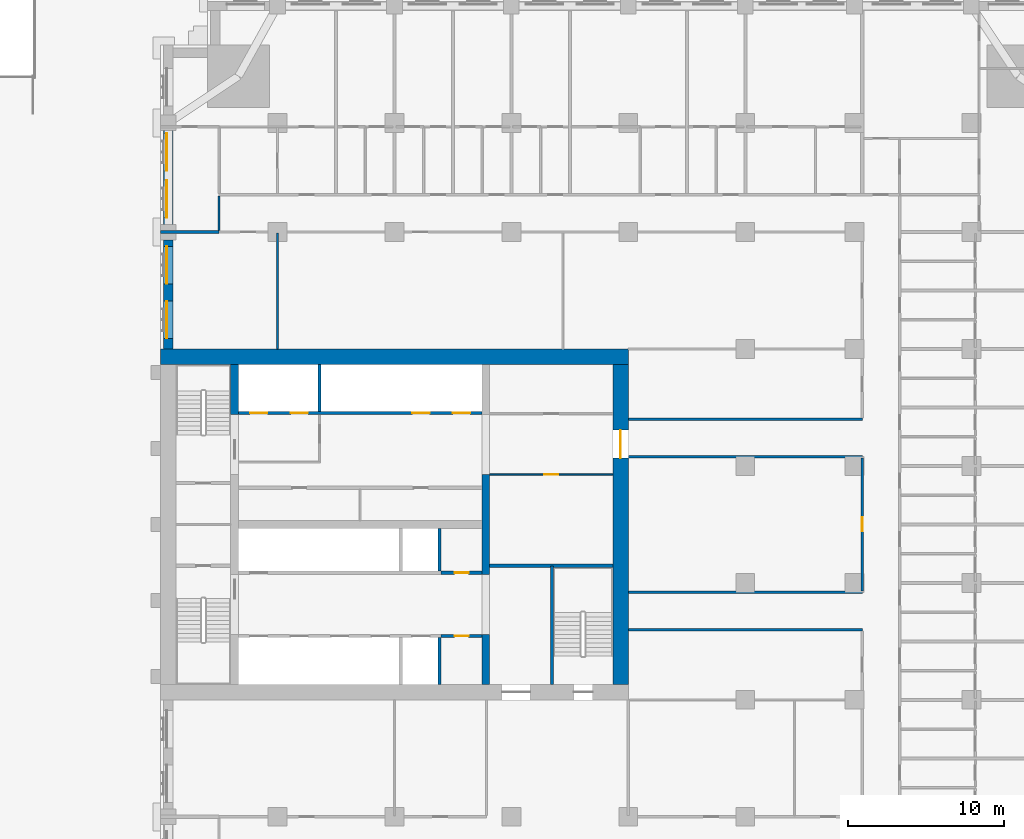
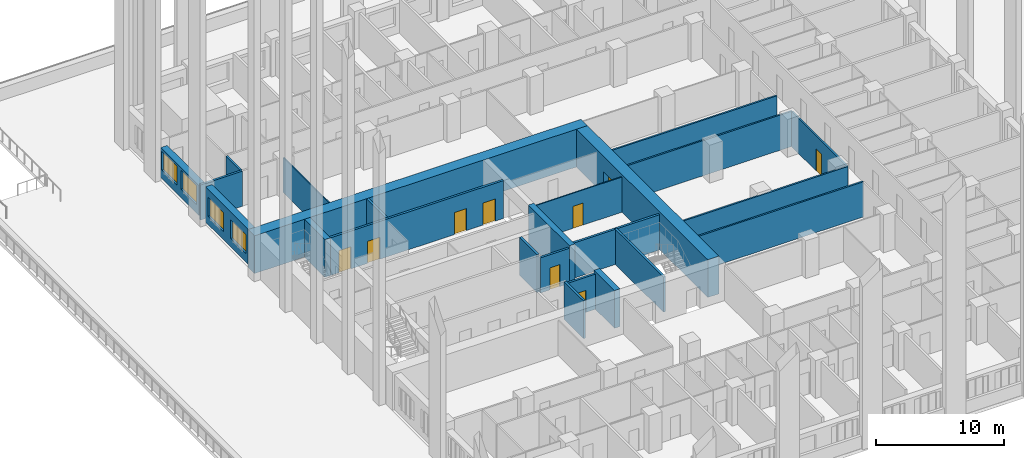
# One storey, part 14 of 27: 24 walls, 9 doors, 4 windows, 13 openings.
"""IFC4 building model written with IfcOpenShell, lengths in metres."""

from ifc_helpers import new_model, si_unit, direction, frame, frame_2d, origin, place, context, subcontext, project, spatial, rectangle, extrude, material, layer, layer_set, type_object, element, fill, save


model = new_model("IFC4")

# Units and contexts
model_context = context("Model", 3, precision=1e-05, world=origin(), true_north=direction((0.0, 1.0)))
body_context = subcontext(model_context, "Body", "Model", "MODEL_VIEW")
ifc_project = project(units=[si_unit("LENGTHUNIT", "METRE"), si_unit("AREAUNIT", "SQUARE_METRE"), si_unit("VOLUMEUNIT", "CUBIC_METRE"), si_unit("PLANEANGLEUNIT", "RADIAN"), si_unit("MASSUNIT", "GRAM", prefix="KILO")], contexts=[model_context])

# Site, building, storey
site_placement = place(None, origin())
site = spatial("IfcSite", under=ifc_project, at=site_placement, CompositionType="ELEMENT")
building_placement = place(site_placement, origin())
building = spatial("IfcBuilding", under=site, at=building_placement, Name="Tamorin Gate", CompositionType="ELEMENT")
storey_placement = place(building_placement, frame((0.0, 0.0, 34.0)))
storey = spatial("IfcBuildingStorey", under=building, at=storey_placement, Name="L06", CompositionType="ELEMENT", Elevation=34.0)

# Wall, openings, windows
ifc_material_1 = material(Name="Precast concrete C40/50", Category="concrete")
ifc_layer_1 = layer(ifc_material_1, 0.60009765625)
ifc_layer_set_1 = layer_set([ifc_layer_1], Name="Precast concrete C40/50")
wall_type_1 = type_object("IfcWallType", Name="Board-marked concrete facade panel 600", PredefinedType="SOLIDWALL", material=ifc_layer_set_1)
wall_1_placement = place(storey_placement, frame((30.5, 96.5, 0.0), z_axis=(0.0, 0.0, 1.0), x_axis=(0.0, -1.0, 0.0)))
wall_1 = element("IfcWall", 1, at=wall_1_placement, inside=storey, type_object=wall_type_1, Name="Facade panel", PredefinedType="SOLIDWALL", context=body_context, shape_type="SweptSolid", body=[
    extrude(rectangle(XDim=6.0, YDim=0.60009765625, at=frame_2d((3.0, 0.0))), origin(), (0.0, 0.0, 1.0), 2.85009765625),
])
opening_1_placement = place(wall_1_placement, frame((3.175048828125, 0.0, 0.800048828125)))
opening_1 = element("IfcOpeningElement", 2, at=opening_1_placement, cuts=wall_1, Name="Opening WN1", PredefinedType="OPENING", context=body_context, shape_type="SweptSolid", body=[
    extrude(rectangle(XDim=2.39990234375, YDim=1.800048828125, at=frame_2d((1.199951171875, 0.89990234375))), frame((0.0, 0.31005859375, 0.0), z_axis=(0.0, -1.0, 0.0), x_axis=(1.0, 0.0, 0.0)), (0.0, 0.0, 1.0), 0.6201171875),
])
opening_2_placement = place(wall_1_placement, frame((0.175048828125, 0.0, 0.800048828125)))
opening_2 = element("IfcOpeningElement", 3, at=opening_2_placement, cuts=wall_1, Name="Opening WN1", PredefinedType="OPENING", context=body_context, shape_type="SweptSolid", body=[
    extrude(rectangle(XDim=2.39990234375, YDim=1.800048828125, at=frame_2d((1.199951171875, 0.89990234375))), frame((0.0, 0.31005859375, 0.0), z_axis=(0.0, -1.0, 0.0), x_axis=(1.0, 0.0, 0.0)), (0.0, 0.0, 1.0), 0.6201171875),
])
ifc_material_2 = material(Name="Clear glass in aluminium frame", Category="aluminium")
window_type = type_object("IfcWindowType", Name="Deep-set window 2400x1800", PartitioningType="SINGLE_PANEL", PredefinedType="WINDOW", material=ifc_material_2)
window_1_placement = place(opening_1_placement, origin())
window_1 = element("IfcWindow", 4, at=window_1_placement, inside=storey, type_object=window_type, Name="Deep-set window", OverallHeight=1.800048828125, OverallWidth=2.39990234375, PartitioningType="SINGLE_PANEL", PredefinedType="WINDOW", context=body_context, shape_type="SweptSolid", body=[
    extrude(rectangle(XDim=2.39990234375, YDim=1.800048828125, at=frame_2d((1.199951171875, 0.89990234375))), frame((0.0, -0.070068359375, 0.0), z_axis=(0.0, -1.0, 0.0), x_axis=(1.0, 0.0, 0.0)), (0.0, 0.0, 1.0), 0.06005859375),
])
fill(opening_1, window_1)
window_2_placement = place(opening_2_placement, origin())
window_2 = element("IfcWindow", 5, at=window_2_placement, inside=storey, type_object=window_type, Name="Deep-set window", OverallHeight=1.800048828125, OverallWidth=2.39990234375, PartitioningType="SINGLE_PANEL", PredefinedType="WINDOW", context=body_context, shape_type="SweptSolid", body=[
    extrude(rectangle(XDim=2.39990234375, YDim=1.800048828125, at=frame_2d((1.199951171875, 0.89990234375))), frame((0.0, -0.070068359375, 0.0), z_axis=(0.0, -1.0, 0.0), x_axis=(1.0, 0.0, 0.0)), (0.0, 0.0, 1.0), 0.06005859375),
])
fill(opening_2, window_2)

wall_2_placement = place(storey_placement, frame((30.5, 89.5, 0.0), z_axis=(0.0, 0.0, 1.0), x_axis=(0.0, -1.0, 0.0)))
wall_2 = element("IfcWall", 6, at=wall_2_placement, inside=storey, type_object=wall_type_1, Name="Facade panel", PredefinedType="SOLIDWALL", context=body_context, shape_type="SweptSolid", body=[
    extrude(rectangle(XDim=7.0, YDim=0.60009765625, at=frame_2d((3.5, 0.0))), origin(), (0.0, 0.0, 1.0), 3.35009765625),
])
opening_3_placement = place(wall_2_placement, frame((3.925048828125, 0.0, 0.800048828125)))
opening_3 = element("IfcOpeningElement", 7, at=opening_3_placement, cuts=wall_2, Name="Opening WN1", PredefinedType="OPENING", context=body_context, shape_type="SweptSolid", body=[
    extrude(rectangle(XDim=2.39990234375, YDim=1.800048828125, at=frame_2d((1.199951171875, 0.89990234375))), frame((0.0, 0.31005859375, 0.0), z_axis=(0.0, -1.0, 0.0), x_axis=(1.0, 0.0, 0.0)), (0.0, 0.0, 1.0), 0.6201171875),
])
opening_4_placement = place(wall_2_placement, frame((0.425048828125, 0.0, 0.800048828125)))
opening_4 = element("IfcOpeningElement", 8, at=opening_4_placement, cuts=wall_2, Name="Opening WN1", PredefinedType="OPENING", context=body_context, shape_type="SweptSolid", body=[
    extrude(rectangle(XDim=2.39990234375, YDim=1.800048828125, at=frame_2d((1.199951171875, 0.89990234375))), frame((0.0, 0.31005859375, 0.0), z_axis=(0.0, -1.0, 0.0), x_axis=(1.0, 0.0, 0.0)), (0.0, 0.0, 1.0), 0.6201171875),
])
window_3_placement = place(opening_3_placement, origin())
window_3 = element("IfcWindow", 9, at=window_3_placement, inside=storey, type_object=window_type, Name="Deep-set window", OverallHeight=1.800048828125, OverallWidth=2.39990234375, PartitioningType="SINGLE_PANEL", PredefinedType="WINDOW", context=body_context, shape_type="SweptSolid", body=[
    extrude(rectangle(XDim=2.39990234375, YDim=1.800048828125, at=frame_2d((1.199951171875, 0.89990234375))), frame((0.0, -0.070068359375, 0.0), z_axis=(0.0, -1.0, 0.0), x_axis=(1.0, 0.0, 0.0)), (0.0, 0.0, 1.0), 0.06005859375),
])
fill(opening_3, window_3)
window_4_placement = place(opening_4_placement, origin())
window_4 = element("IfcWindow", 10, at=window_4_placement, inside=storey, type_object=window_type, Name="Deep-set window", OverallHeight=1.800048828125, OverallWidth=2.39990234375, PartitioningType="SINGLE_PANEL", PredefinedType="WINDOW", context=body_context, shape_type="SweptSolid", body=[
    extrude(rectangle(XDim=2.39990234375, YDim=1.800048828125, at=frame_2d((1.199951171875, 0.89990234375))), frame((0.0, -0.070068359375, 0.0), z_axis=(0.0, -1.0, 0.0), x_axis=(1.0, 0.0, 0.0)), (0.0, 0.0, 1.0), 0.06005859375),
])
fill(opening_4, window_4)

# Wall
ifc_material_3 = material(Name="Gypsum board partition")
ifc_layer_2 = layer(ifc_material_3, 0.14990234375)
ifc_layer_set_2 = layer_set([ifc_layer_2], Name="Corridor wall 150")
wall_type_2 = type_object("IfcWallType", Name="Corridor wall 150", PredefinedType="PARTITIONING", material=ifc_layer_set_2)
wall_3_placement = place(storey_placement, frame((33.75, 90.10009765625, 0.0), z_axis=(0.0, 0.0, 1.0), x_axis=(0.0, 1.0, 0.0)))
element("IfcWall", 11, at=wall_3_placement, inside=storey, type_object=wall_type_2, Name="Corridor wall 150", PredefinedType="PARTITIONING", context=body_context, shape_type="SweptSolid", body=[
    extrude(rectangle(XDim=2.224853515625, YDim=0.14990234375, at=frame_2d((1.1123046875, 0.0))), origin(), (0.0, 0.0, 1.0), 3.35009765625),
])

# Wall, opening, door
wall_4_placement = place(storey_placement, frame((75.0, 66.97509765625, 0.0), z_axis=(0.0, 0.0, 1.0), x_axis=(0.0, 1.0, 0.0)))
wall_4 = element("IfcWall", 12, at=wall_4_placement, inside=storey, type_object=wall_type_2, Name="Corridor wall 150", PredefinedType="PARTITIONING", context=body_context, shape_type="SweptSolid", body=[
    extrude(rectangle(XDim=8.5498046875, YDim=0.14990234375, at=frame_2d((4.27490234375, 0.0))), origin(), (0.0, 0.0, 1.0), 3.35009765625),
])
opening_5_placement = place(wall_4_placement, frame((3.824951171875, 0.0, 0.0)))
opening_5 = element("IfcOpeningElement", 13, at=opening_5_placement, cuts=wall_4, Name="Opening DH1101", PredefinedType="OPENING", context=body_context, shape_type="SweptSolid", body=[
    extrude(rectangle(XDim=0.89990234375, YDim=2.10009765625, at=frame_2d((0.449951171875, 1.050048828125))), frame((0.0, 0.0849609375, 0.0), z_axis=(0.0, -1.0, 0.0), x_axis=(1.0, 0.0, 0.0)), (0.0, 0.0, 1.0), 0.169921875),
])
ifc_material_4 = material(Name="Timber door leaf", Category="wood")
door_type_1 = type_object("IfcDoorType", Name="Door 900 x 2100 FD30S", OperationType="NOTDEFINED", PredefinedType="DOOR", material=ifc_material_4)
door_1_placement = place(opening_5_placement, origin())
door_1 = element("IfcDoor", 14, at=door_1_placement, inside=storey, type_object=door_type_1, Name="Door DH1101", OperationType="SINGLE_SWING_LEFT", OverallHeight=2.10009765625, OverallWidth=0.89990234375, PredefinedType="DOOR", context=body_context, shape_type="SweptSolid", body=[
    extrude(rectangle(XDim=0.89990234375, YDim=2.10009765625, at=frame_2d((0.449951171875, 1.050048828125))), frame((0.0, 0.02490234375, 0.0), z_axis=(0.0, -1.0, 0.0), x_axis=(1.0, 0.0, 0.0)), (0.0, 0.0, 1.0), 0.050048828125),
])
fill(opening_5, door_1)

# Wall
ifc_layer_3 = layer(ifc_material_3, 0.199951171875)
ifc_layer_set_3 = layer_set([ifc_layer_3], Name="Demising wall 200")
wall_type_3 = type_object("IfcWallType", Name="Demising wall 200", PredefinedType="PARTITIONING", material=ifc_layer_set_3)
wall_5_placement = place(storey_placement, frame((30.0, 90.0, 0.0), z_axis=(0.0, 0.0, 1.0), x_axis=(1.0, 0.0, 0.0)))
element("IfcWall", 15, at=wall_5_placement, inside=storey, type_object=wall_type_3, Name="Demising wall 200", PredefinedType="PARTITIONING", context=body_context, shape_type="SweptSolid", body=[
    extrude(rectangle(XDim=3.75, YDim=0.199951171875, at=frame_2d((1.875, 0.0))), origin(), (0.0, 0.0, 1.0), 3.35009765625),
])

# Wall, openings, doors
ifc_material_5 = material(Name="Concrete C32/40", Category="concrete")
ifc_layer_4 = layer(ifc_material_5, 0.199951171875)
ifc_layer_set_4 = layer_set([ifc_layer_4], Name="Lift lobby face wall 200 EI 120")
wall_type_4 = type_object("IfcWallType", Name="Lift lobby face wall 200 EI 120", PredefinedType="SOLIDWALL", material=ifc_layer_set_4)
wall_6_placement = place(storey_placement, frame((35.0, 78.39990234375, 0.0), z_axis=(0.0, 0.0, 1.0), x_axis=(1.0, 0.0, 0.0)))
wall_6 = element("IfcWall", 16, at=wall_6_placement, inside=storey, type_object=wall_type_4, Name="Lift lobby face wall", PredefinedType="SOLIDWALL", context=body_context, shape_type="SweptSolid", body=[
    extrude(rectangle(XDim=15.60009765625, YDim=0.199951171875, at=frame_2d((7.800048828125, 0.0))), origin(), (0.0, 0.0, 1.0), 3.60009765625),
])
opening_6_placement = place(wall_6_placement, frame((0.75, 0.0, 0.0)))
opening_6 = element("IfcOpeningElement", 17, at=opening_6_placement, cuts=wall_6, Name="Opening LD17", PredefinedType="OPENING", context=body_context, shape_type="SweptSolid", body=[
    extrude(rectangle(XDim=1.10009765625, YDim=2.10009765625, at=frame_2d((0.550048828125, 1.050048828125))), frame((0.0, 0.10986328125, 0.0), z_axis=(0.0, -1.0, 0.0), x_axis=(1.0, 0.0, 0.0)), (0.0, 0.0, 1.0), 0.219970703125),
])
opening_7_placement = place(wall_6_placement, frame((3.35009765625, 0.0, 0.0)))
opening_7 = element("IfcOpeningElement", 18, at=opening_7_placement, cuts=wall_6, Name="Opening LD18", PredefinedType="OPENING", context=body_context, shape_type="SweptSolid", body=[
    extrude(rectangle(XDim=1.10009765625, YDim=2.10009765625, at=frame_2d((0.550048828125, 1.050048828125))), frame((0.0, 0.10986328125, 0.0), z_axis=(0.0, -1.0, 0.0), x_axis=(1.0, 0.0, 0.0)), (0.0, 0.0, 1.0), 0.219970703125),
])
opening_8_placement = place(wall_6_placement, frame((11.14990234375, 0.0, 0.0)))
opening_8 = element("IfcOpeningElement", 19, at=opening_8_placement, cuts=wall_6, Name="Opening LD21", PredefinedType="OPENING", context=body_context, shape_type="SweptSolid", body=[
    extrude(rectangle(XDim=1.10009765625, YDim=2.10009765625, at=frame_2d((0.550048828125, 1.050048828125))), frame((0.0, 0.10986328125, 0.0), z_axis=(0.0, -1.0, 0.0), x_axis=(1.0, 0.0, 0.0)), (0.0, 0.0, 1.0), 0.219970703125),
])
opening_9_placement = place(wall_6_placement, frame((13.75, 0.0, 0.0)))
opening_9 = element("IfcOpeningElement", 20, at=opening_9_placement, cuts=wall_6, Name="Opening LD22", PredefinedType="OPENING", context=body_context, shape_type="SweptSolid", body=[
    extrude(rectangle(XDim=1.10009765625, YDim=2.10009765625, at=frame_2d((0.550048828125, 1.050048828125))), frame((0.0, 0.10986328125, 0.0), z_axis=(0.0, -1.0, 0.0), x_axis=(1.0, 0.0, 0.0)), (0.0, 0.0, 1.0), 0.219970703125),
])
ifc_material_6 = material(Name="Stainless steel sliding door", Category="steel")
door_type_2 = type_object("IfcDoorType", Name="Lift landing door 1100 x 2100 E 90", OperationType="DOUBLE_DOOR_SLIDING", PredefinedType="DOOR", material=ifc_material_6)
door_2_placement = place(opening_6_placement, origin())
door_2 = element("IfcDoor", 21, at=door_2_placement, inside=storey, type_object=door_type_2, Name="FF1 landing door", OperationType="DOUBLE_DOOR_SLIDING", OverallHeight=2.10009765625, OverallWidth=1.10009765625, PredefinedType="DOOR", context=body_context, shape_type="SweptSolid", body=[
    extrude(rectangle(XDim=1.10009765625, YDim=2.10009765625, at=frame_2d((0.550048828125, 1.050048828125))), frame((0.0, 0.02490234375, 0.0), z_axis=(0.0, -1.0, 0.0), x_axis=(1.0, 0.0, 0.0)), (0.0, 0.0, 1.0), 0.050048828125),
])
fill(opening_6, door_2)
door_3_placement = place(opening_7_placement, origin())
door_3 = element("IfcDoor", 22, at=door_3_placement, inside=storey, type_object=door_type_2, Name="FF2 landing door", OperationType="DOUBLE_DOOR_SLIDING", OverallHeight=2.10009765625, OverallWidth=1.10009765625, PredefinedType="DOOR", context=body_context, shape_type="SweptSolid", body=[
    extrude(rectangle(XDim=1.10009765625, YDim=2.10009765625, at=frame_2d((0.550048828125, 1.050048828125))), frame((0.0, 0.02490234375, 0.0), z_axis=(0.0, -1.0, 0.0), x_axis=(1.0, 0.0, 0.0)), (0.0, 0.0, 1.0), 0.050048828125),
])
fill(opening_7, door_3)
door_4_placement = place(opening_8_placement, origin())
door_4 = element("IfcDoor", 23, at=door_4_placement, inside=storey, type_object=door_type_2, Name="SV1 landing door", OperationType="DOUBLE_DOOR_SLIDING", OverallHeight=2.10009765625, OverallWidth=1.10009765625, PredefinedType="DOOR", context=body_context, shape_type="SweptSolid", body=[
    extrude(rectangle(XDim=1.10009765625, YDim=2.10009765625, at=frame_2d((0.550048828125, 1.050048828125))), frame((0.0, 0.02490234375, 0.0), z_axis=(0.0, -1.0, 0.0), x_axis=(1.0, 0.0, 0.0)), (0.0, 0.0, 1.0), 0.050048828125),
])
fill(opening_8, door_4)
door_5_placement = place(opening_9_placement, origin())
door_5 = element("IfcDoor", 24, at=door_5_placement, inside=storey, type_object=door_type_2, Name="SV2 landing door", OperationType="DOUBLE_DOOR_SLIDING", OverallHeight=2.10009765625, OverallWidth=1.10009765625, PredefinedType="DOOR", context=body_context, shape_type="SweptSolid", body=[
    extrude(rectangle(XDim=1.10009765625, YDim=2.10009765625, at=frame_2d((0.550048828125, 1.050048828125))), frame((0.0, 0.02490234375, 0.0), z_axis=(0.0, -1.0, 0.0), x_axis=(1.0, 0.0, 0.0)), (0.0, 0.0, 1.0), 0.050048828125),
])
fill(opening_9, door_5)

# Walls
ifc_layer_5 = layer(ifc_material_5, 0.199951171875)
ifc_layer_set_5 = layer_set([ifc_layer_5], Name="Lift shaft wall 200 EI 120")
wall_type_5 = type_object("IfcWallType", Name="Lift shaft wall 200 EI 120", PredefinedType="SOLIDWALL", material=ifc_layer_set_5)
wall_7_placement = place(storey_placement, frame((47.89990234375, 61.0, 0.0), z_axis=(0.0, 0.0, 1.0), x_axis=(0.0, 1.0, 0.0)))
element("IfcWall", 25, at=wall_7_placement, inside=storey, type_object=wall_type_5, Name="Lift shaft wall", PredefinedType="SOLIDWALL", context=body_context, shape_type="SweptSolid", body=[
    extrude(rectangle(XDim=3.0, YDim=0.199951171875, at=frame_2d((1.5, 0.0))), origin(), (0.0, 0.0, 1.0), 3.60009765625),
])
wall_8_placement = place(storey_placement, frame((47.89990234375, 68.25, 0.0), z_axis=(0.0, 0.0, 1.0), x_axis=(0.0, 1.0, 0.0)))
element("IfcWall", 26, at=wall_8_placement, inside=storey, type_object=wall_type_5, Name="Lift shaft wall", PredefinedType="SOLIDWALL", context=body_context, shape_type="SweptSolid", body=[
    extrude(rectangle(XDim=2.75, YDim=0.199951171875, at=frame_2d((1.375, 0.0))), origin(), (0.0, 0.0, 1.0), 3.60009765625),
])
wall_9_placement = place(storey_placement, frame((40.199951171875, 78.5, 0.0), z_axis=(0.0, 0.0, 1.0), x_axis=(0.0, 1.0, 0.0)))
element("IfcWall", 27, at=wall_9_placement, inside=storey, type_object=wall_type_5, Name="Lift shaft wall", PredefinedType="SOLIDWALL", context=body_context, shape_type="SweptSolid", body=[
    extrude(rectangle(XDim=3.0, YDim=0.199951171875, at=frame_2d((1.5, 0.0))), origin(), (0.0, 0.0, 1.0), 3.60009765625),
])
ifc_layer_6 = layer(ifc_material_3, 0.14990234375)
ifc_layer_set_6 = layer_set([ifc_layer_6], Name="Lobby wall 150")
wall_type_6 = type_object("IfcWallType", Name="Lobby wall 150", PredefinedType="PARTITIONING", material=ifc_layer_set_6)
for number, where, z_axis, x_axis, name in (
    (28, (60.0, 64.5, 0.0), (0.0, 0.0, 1.0), (1.0, 0.0, 0.0), "Lobby wall 150"),
    (29, (60.0, 66.89990234375, 0.0), (0.0, 0.0, 1.0), (1.0, 0.0, 0.0), "Lobby wall 150"),
    (30, (60.0, 75.60009765625, 0.0), (0.0, 0.0, 1.0), (1.0, 0.0, 0.0), "Lobby wall 150"),
    (31, (60.0, 78.0, 0.0), (0.0, 0.0, 1.0), (1.0, 0.0, 0.0), "Lobby wall 150"),
):
    element("IfcWall", number, at=place(storey_placement, frame(where, z_axis=z_axis, x_axis=x_axis)), inside=storey, type_object=wall_type_6, Name=name, PredefinedType="PARTITIONING", context=body_context, shape_type="SweptSolid", body=[
        extrude(rectangle(XDim=15.0, YDim=0.14990234375, at=frame_2d((7.5, 0.0))), origin(), (0.0, 0.0, 1.0), 3.35009765625),
    ])
ifc_material_7 = material(Name="Concrete C80/95", Category="concrete")
ifc_layer_7 = layer(ifc_material_7, 0.5)
ifc_layer_set_7 = layer_set([ifc_layer_7], Name="RC core internal wall 500 C80/95")
wall_type_7 = type_object("IfcWallType", Name="RC core internal wall 500 C80/95", PredefinedType="SHEAR", material=ifc_layer_set_7)
for number, where, z_axis, x_axis, name in (
    (32, (34.75, 78.300048828125, 0.0), (0.0, 0.0, 1.0), (0.0, 1.0, 0.0), "Core cross wall L06"),
    (33, (50.85009765625, 61.0, 0.0), (0.0, 0.0, 1.0), (0.0, 1.0, 0.0), "Core cross wall L06"),
):
    element("IfcWall", number, at=place(storey_placement, frame(where, z_axis=z_axis, x_axis=x_axis)), inside=storey, type_object=wall_type_7, Name=name, PredefinedType="SHEAR", context=body_context, shape_type="SweptSolid", body=[
        extrude(rectangle(XDim=3.199951171875, YDim=0.5, at=frame_2d((1.60009765625, 0.0))), origin(), (0.0, 0.0, 1.0), 3.60009765625),
    ])
wall_10_placement = place(storey_placement, frame((50.85009765625, 68.050048828125, 0.0), z_axis=(0.0, 0.0, 1.0), x_axis=(0.0, 1.0, 0.0)))
element("IfcWall", 34, at=wall_10_placement, inside=storey, type_object=wall_type_7, Name="Core cross wall L06", PredefinedType="SHEAR", context=body_context, shape_type="SweptSolid", body=[
    extrude(rectangle(XDim=6.39990234375, YDim=0.5, at=frame_2d((3.199951171875, 0.0))), origin(), (0.0, 0.0, 1.0), 3.60009765625),
])
ifc_layer_8 = layer(ifc_material_7, 1.0)
ifc_layer_set_8 = layer_set([ifc_layer_8], Name="RC core wall 1000 C80/95")
wall_type_8 = type_object("IfcWallType", Name="RC core wall 1000 C80/95", PredefinedType="SHEAR", material=ifc_layer_set_8)
wall_11_placement = place(storey_placement, frame((30.0, 82.0, 0.0), z_axis=(0.0, 0.0, 1.0), x_axis=(1.0, 0.0, 0.0)))
element("IfcWall", 35, at=wall_11_placement, inside=storey, type_object=wall_type_8, Name="Core wall L06", PredefinedType="SHEAR", context=body_context, shape_type="SweptSolid", body=[
    extrude(rectangle(XDim=30.0, YDim=1.0, at=frame_2d((15.0, 0.0))), origin(), (0.0, 0.0, 1.0), 3.60009765625),
])

# Wall, opening, door
wall_12_placement = place(storey_placement, frame((59.5, 61.0, 0.0), z_axis=(0.0, 0.0, 1.0), x_axis=(0.0, 1.0, 0.0)))
wall_12 = element("IfcWall", 36, at=wall_12_placement, inside=storey, type_object=wall_type_8, Name="Core wall L06", PredefinedType="SHEAR", context=body_context, shape_type="SweptSolid", body=[
    extrude(rectangle(XDim=20.5, YDim=1.0, at=frame_2d((10.25, 0.0))), origin(), (0.0, 0.0, 1.0), 3.60009765625),
])
opening_10_placement = place(wall_12_placement, frame((14.5, 0.0, 0.0)))
opening_10 = element("IfcOpeningElement", 37, at=opening_10_placement, cuts=wall_12, Name="Opening DE1", PredefinedType="OPENING", context=body_context, shape_type="SweptSolid", body=[
    extrude(rectangle(XDim=1.800048828125, YDim=2.10009765625, at=frame_2d((0.89990234375, 1.050048828125))), frame((0.0, 0.510009765625, 0.0), z_axis=(0.0, -1.0, 0.0), x_axis=(1.0, 0.0, 0.0)), (0.0, 0.0, 1.0), 1.02001953125),
])
ifc_material_8 = material(Name="Steel fire door", Category="steel")
door_type_3 = type_object("IfcDoorType", Name="Lobby exit double door 1800 x 2100 EI 60", OperationType="DOUBLE_DOOR_SINGLE_SWING", PredefinedType="DOOR", material=ifc_material_8)
door_6_placement = place(opening_10_placement, origin())
door_6 = element("IfcDoor", 38, at=door_6_placement, inside=storey, type_object=door_type_3, Name="Lift lobby B exit door", OperationType="DOUBLE_DOOR_SINGLE_SWING", OverallHeight=2.10009765625, OverallWidth=1.800048828125, PredefinedType="DOOR", context=body_context, shape_type="SweptSolid", body=[
    extrude(rectangle(XDim=1.800048828125, YDim=2.10009765625, at=frame_2d((0.89990234375, 1.050048828125))), frame((0.0, 0.02490234375, 0.0), z_axis=(0.0, -1.0, 0.0), x_axis=(1.0, 0.0, 0.0)), (0.0, 0.0, 1.0), 0.050048828125),
])
fill(opening_10, door_6)

# Wall
ifc_layer_9 = layer(ifc_material_3, 0.10009765625)
ifc_layer_set_9 = layer_set([ifc_layer_9], Name="Room partition 100")
wall_type_9 = type_object("IfcWallType", Name="Room partition 100", PredefinedType="PARTITIONING", material=ifc_layer_set_9)
wall_13_placement = place(storey_placement, frame((37.5, 82.5, 0.0), z_axis=(0.0, 0.0, 1.0), x_axis=(0.0, 1.0, 0.0)))
element("IfcWall", 39, at=wall_13_placement, inside=storey, type_object=wall_type_9, Name="Room partition 100", PredefinedType="PARTITIONING", context=body_context, shape_type="SweptSolid", body=[
    extrude(rectangle(XDim=7.425048828125, YDim=0.10009765625, at=frame_2d((3.71240234375, 0.0))), origin(), (0.0, 0.0, 1.0), 3.35009765625),
])

# Wall, opening, door
ifc_layer_10 = layer(ifc_material_3, 0.199951171875)
ifc_layer_set_10 = layer_set([ifc_layer_10], Name="Service room face wall 200 EI 60")
wall_type_10 = type_object("IfcWallType", Name="Service room face wall 200 EI 60", PredefinedType="PARTITIONING", material=ifc_layer_set_10)
wall_14_placement = place(storey_placement, frame((48.0, 64.10009765625, 0.0), z_axis=(0.0, 0.0, 1.0), x_axis=(1.0, 0.0, 0.0)))
wall_14 = element("IfcWall", 40, at=wall_14_placement, inside=storey, type_object=wall_type_10, Name="Service room face wall", PredefinedType="PARTITIONING", context=body_context, shape_type="SweptSolid", body=[
    extrude(rectangle(XDim=2.60009765625, YDim=0.199951171875, at=frame_2d((1.300048828125, 0.0))), origin(), (0.0, 0.0, 1.0), 3.35009765625),
])
opening_11_placement = place(wall_14_placement, frame((0.85009765625, 0.0, 0.0)))
opening_11 = element("IfcOpeningElement", 41, at=opening_11_placement, cuts=wall_14, Name="Opening DK1", PredefinedType="OPENING", context=body_context, shape_type="SweptSolid", body=[
    extrude(rectangle(XDim=0.89990234375, YDim=2.10009765625, at=frame_2d((0.449951171875, 1.050048828125))), frame((0.0, 0.10986328125, 0.0), z_axis=(0.0, -1.0, 0.0), x_axis=(1.0, 0.0, 0.0)), (0.0, 0.0, 1.0), 0.219970703125),
])
ifc_material_9 = material(Name="Timber fire door", Category="wood")
door_type_4 = type_object("IfcDoorType", Name="Service room door 900 x 2100 EI 60", OperationType="SINGLE_SWING_LEFT", PredefinedType="DOOR", material=ifc_material_9)
door_7_placement = place(opening_11_placement, origin())
door_7 = element("IfcDoor", 42, at=door_7_placement, inside=storey, type_object=door_type_4, Name="Door Pantry", OperationType="SINGLE_SWING_RIGHT", OverallHeight=2.10009765625, OverallWidth=0.89990234375, PredefinedType="DOOR", context=body_context, shape_type="SweptSolid", body=[
    extrude(rectangle(XDim=0.89990234375, YDim=2.10009765625, at=frame_2d((0.449951171875, 1.050048828125))), frame((0.0, 0.02490234375, 0.0), z_axis=(0.0, -1.0, 0.0), x_axis=(1.0, 0.0, 0.0)), (0.0, 0.0, 1.0), 0.050048828125),
])
fill(opening_11, door_7)

wall_15_placement = place(storey_placement, frame((48.0, 68.14990234375, 0.0), z_axis=(0.0, 0.0, 1.0), x_axis=(1.0, 0.0, 0.0)))
wall_15 = element("IfcWall", 43, at=wall_15_placement, inside=storey, type_object=wall_type_10, Name="Service room face wall", PredefinedType="PARTITIONING", context=body_context, shape_type="SweptSolid", body=[
    extrude(rectangle(XDim=2.60009765625, YDim=0.199951171875, at=frame_2d((1.300048828125, 0.0))), origin(), (0.0, 0.0, 1.0), 3.35009765625),
])
opening_12_placement = place(wall_15_placement, frame((0.85009765625, 0.0, 0.0)))
opening_12 = element("IfcOpeningElement", 44, at=opening_12_placement, cuts=wall_15, Name="Opening DK1", PredefinedType="OPENING", context=body_context, shape_type="SweptSolid", body=[
    extrude(rectangle(XDim=0.89990234375, YDim=2.10009765625, at=frame_2d((0.449951171875, 1.050048828125))), frame((0.0, 0.10986328125, 0.0), z_axis=(0.0, -1.0, 0.0), x_axis=(1.0, 0.0, 0.0)), (0.0, 0.0, 1.0), 0.219970703125),
])
door_8_placement = place(opening_12_placement, origin())
door_8 = element("IfcDoor", 45, at=door_8_placement, inside=storey, type_object=door_type_4, Name="Door Housekeeping store", OperationType="SINGLE_SWING_RIGHT", OverallHeight=2.10009765625, OverallWidth=0.89990234375, PredefinedType="DOOR", context=body_context, shape_type="SweptSolid", body=[
    extrude(rectangle(XDim=0.89990234375, YDim=2.10009765625, at=frame_2d((0.449951171875, 1.050048828125))), frame((0.0, 0.02490234375, 0.0), z_axis=(0.0, -1.0, 0.0), x_axis=(1.0, 0.0, 0.0)), (0.0, 0.0, 1.0), 0.050048828125),
])
fill(opening_12, door_8)

ifc_layer_11 = layer(ifc_material_3, 0.10009765625)
ifc_layer_set_11 = layer_set([ifc_layer_11], Name="Service room partition 100 EI 60")
wall_type_11 = type_object("IfcWallType", Name="Service room partition 100 EI 60", PredefinedType="PARTITIONING", material=ifc_layer_set_11)
wall_16_placement = place(storey_placement, frame((51.10009765625, 74.449951171875, 0.0), z_axis=(0.0, 0.0, 1.0), x_axis=(1.0, 0.0, 0.0)))
wall_16 = element("IfcWall", 46, at=wall_16_placement, inside=storey, type_object=wall_type_11, Name="Service room wall", PredefinedType="PARTITIONING", context=body_context, shape_type="SweptSolid", body=[
    extrude(rectangle(XDim=7.89990234375, YDim=0.10009765625, at=frame_2d((3.949951171875, 0.0))), origin(), (0.0, 0.0, 1.0), 3.35009765625),
])
opening_13_placement = place(wall_16_placement, frame((3.5, 0.0, 0.0)))
opening_13 = element("IfcOpeningElement", 47, at=opening_13_placement, cuts=wall_16, Name="Opening DR1", PredefinedType="OPENING", context=body_context, shape_type="SweptSolid", body=[
    extrude(rectangle(XDim=0.89990234375, YDim=2.10009765625, at=frame_2d((0.449951171875, 1.050048828125))), frame((0.0, 0.06005859375, 0.0), z_axis=(0.0, -1.0, 0.0), x_axis=(1.0, 0.0, 0.0)), (0.0, 0.0, 1.0), 0.1201171875),
])
door_type_5 = type_object("IfcDoorType", Name="Riser access door 900 x 2100 EI 120", OperationType="SINGLE_SWING_LEFT", PredefinedType="DOOR", material=ifc_material_8)
door_9_placement = place(opening_13_placement, origin())
door_9 = element("IfcDoor", 48, at=door_9_placement, inside=storey, type_object=door_type_5, Name="Duct riser door", OperationType="SINGLE_SWING_RIGHT", OverallHeight=2.10009765625, OverallWidth=0.89990234375, PredefinedType="DOOR", context=body_context, shape_type="SweptSolid", body=[
    extrude(rectangle(XDim=0.89990234375, YDim=2.10009765625, at=frame_2d((0.449951171875, 1.050048828125))), frame((0.0, 0.02490234375, 0.0), z_axis=(0.0, -1.0, 0.0), x_axis=(1.0, 0.0, 0.0)), (0.0, 0.0, 1.0), 0.050048828125),
])
fill(opening_13, door_9)

# Walls
ifc_material_10 = material(Name="Concrete C40/50", Category="concrete")
ifc_layer_12 = layer(ifc_material_10, 0.199951171875)
ifc_layer_set_12 = layer_set([ifc_layer_12], Name="Stair enclosure wall 200 EI 120 C40/50")
wall_type_12 = type_object("IfcWallType", Name="Stair enclosure wall 200 EI 120 C40/50", PredefinedType="SOLIDWALL", material=ifc_layer_set_12)
wall_17_placement = place(storey_placement, frame((55.10009765625, 61.0, 0.0), z_axis=(0.0, 0.0, 1.0), x_axis=(0.0, 1.0, 0.0)))
element("IfcWall", 49, at=wall_17_placement, inside=storey, type_object=wall_type_12, Name="Stair enclosure wall", PredefinedType="SOLIDWALL", context=body_context, shape_type="SweptSolid", body=[
    extrude(rectangle(XDim=7.60009765625, YDim=0.199951171875, at=frame_2d((3.800048828125, 0.0))), origin(), (0.0, 0.0, 1.0), 3.35009765625),
])
wall_18_placement = place(storey_placement, frame((51.10009765625, 68.60009765625, 0.0), z_axis=(0.0, 0.0, 1.0), x_axis=(1.0, 0.0, 0.0)))
element("IfcWall", 50, at=wall_18_placement, inside=storey, type_object=wall_type_12, Name="Stair enclosure wall", PredefinedType="SOLIDWALL", context=body_context, shape_type="SweptSolid", body=[
    extrude(rectangle(XDim=7.89990234375, YDim=0.199951171875, at=frame_2d((3.949951171875, 0.0))), origin(), (0.0, 0.0, 1.0), 3.35009765625),
])

save(model, "model.ifc")
